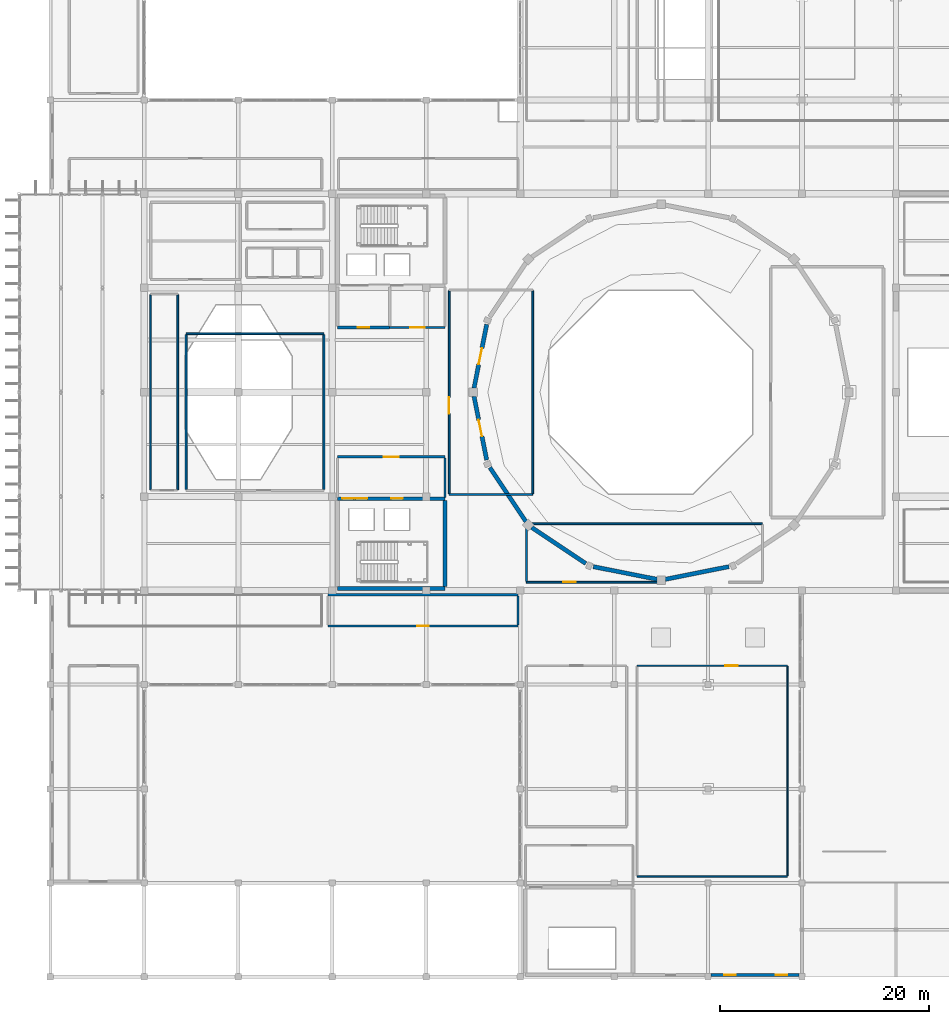
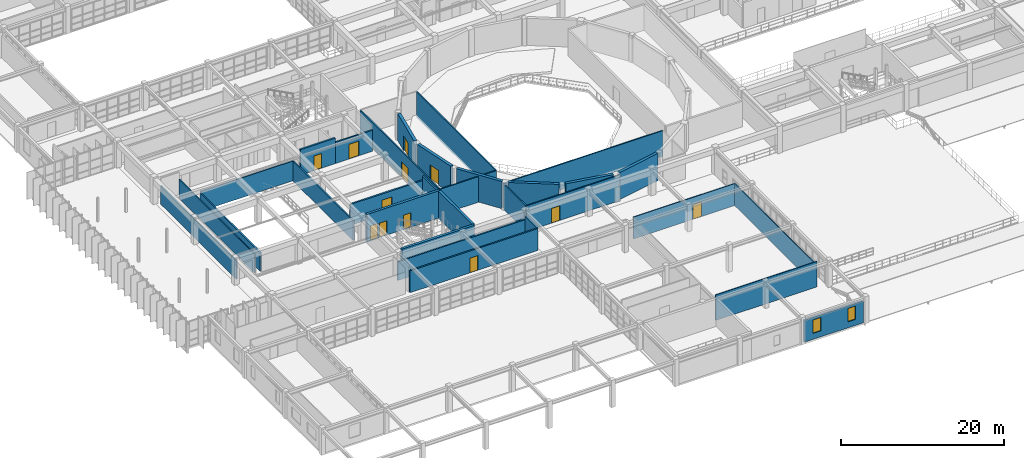
# One storey, part 94 of 110: 31 walls, 12 doors, 2 windows, 14 openings.
"""IFC4 building model written with IfcOpenShell, lengths in metres."""

from ifc_helpers import new_model, si_unit, direction, frame, frame_2d, origin, place, context, subcontext, project, spatial, rectangle, extrude, material, layer, layer_set, type_object, element, fill, save


model = new_model("IFC4")

# Units and contexts
model_context = context("Model", 3, precision=1e-05, world=origin(), true_north=direction((0.0, 1.0)))
body_context = subcontext(model_context, "Body", "Model", "MODEL_VIEW")
ifc_project = project(units=[si_unit("LENGTHUNIT", "METRE"), si_unit("AREAUNIT", "SQUARE_METRE"), si_unit("VOLUMEUNIT", "CUBIC_METRE"), si_unit("PLANEANGLEUNIT", "RADIAN"), si_unit("MASSUNIT", "GRAM", prefix="KILO")], contexts=[model_context])

# Site, building, storey
site_placement = place(None, origin())
site = spatial("IfcSite", under=ifc_project, at=site_placement, CompositionType="ELEMENT")
building_placement = place(site_placement, origin())
building = spatial("IfcBuilding", under=site, at=building_placement, Name="Miravela Opera House", CompositionType="ELEMENT")
storey_placement = place(building_placement, frame((0.0, 0.0, 13.60009765625)))
storey = spatial("IfcBuildingStorey", under=building, at=storey_placement, Name="L03", CompositionType="ELEMENT", Elevation=13.60009765625)

# Wall, openings, windows
ifc_material_1 = material(Name="Insulated cream lime-stuccoed masonry", Category="masonry")
ifc_layer_1 = layer(ifc_material_1, 0.2900390625)
ifc_layer_set_1 = layer_set([ifc_layer_1])
wall_type_1 = type_object("IfcWallType", Name="ARC-EW-STUCCO-290", PredefinedType="STANDARD", material=ifc_layer_set_1)
wall_1_placement = place(storey_placement, frame((81.300048828125, 0.179931640625, 0.0), z_axis=(0.0, 0.0, 1.0), x_axis=(1.0, 0.0, 0.0)))
wall_1 = element("IfcWall", 1, at=wall_1_placement, inside=storey, type_object=wall_type_1, Name="Spanish Colonial Stucco Facade Wall L03-032", PredefinedType="STANDARD", context=body_context, shape_type="SweptSolid", body=[
    extrude(rectangle(XDim=8.39990234375, YDim=0.2900390625, at=frame_2d((4.199951171875, 0.0))), origin(), (0.0, 0.0, 1.0), 3.27685546875),
])
opening_1_placement = place(wall_1_placement, frame((1.25, 0.0, 0.89990234375)))
opening_1 = element("IfcOpeningElement", 2, at=opening_1_placement, cuts=wall_1, Name="Opening W-22", PredefinedType="OPENING", context=body_context, shape_type="SweptSolid", body=[
    extrude(rectangle(XDim=1.10009765625, YDim=2.0, at=frame_2d((0.550048828125, 1.0))), frame((0.0, 0.155029296875, 0.0), z_axis=(0.0, -1.0, 0.0), x_axis=(1.0, 0.0, 0.0)), (0.0, 0.0, 1.0), 0.31005859375),
])
opening_2_placement = place(wall_1_placement, frame((6.199951171875, 0.0, 0.89990234375)))
opening_2 = element("IfcOpeningElement", 3, at=opening_2_placement, cuts=wall_1, Name="Opening W-22", PredefinedType="OPENING", context=body_context, shape_type="SweptSolid", body=[
    extrude(rectangle(XDim=1.10009765625, YDim=2.0, at=frame_2d((0.550048828125, 1.0))), frame((0.0, 0.155029296875, 0.0), z_axis=(0.0, -1.0, 0.0), x_axis=(1.0, 0.0, 0.0)), (0.0, 0.0, 1.0), 0.31005859375),
])
ifc_material_2 = material(Name="Bronze-anodised aluminium and acoustic low-E glass", Category="aluminium")
window_type = type_object("IfcWindowType", Name="ARC-WIN-22", PartitioningType="SINGLE_PANEL", PredefinedType="WINDOW", material=ifc_material_2)
window_1_placement = place(opening_1_placement, origin())
window_1 = element("IfcWindow", 4, at=window_1_placement, inside=storey, type_object=window_type, Name="Window W-22 #085", OverallHeight=2.0, OverallWidth=1.10009765625, PartitioningType="SINGLE_PANEL", PredefinedType="WINDOW", context=body_context, shape_type="SweptSolid", body=[
    extrude(rectangle(XDim=1.10009765625, YDim=2.0, at=frame_2d((0.550048828125, 1.0))), frame((0.0, 0.030029296875, 0.0), z_axis=(0.0, -1.0, 0.0), x_axis=(1.0, 0.0, 0.0)), (0.0, 0.0, 1.0), 0.06005859375),
])
fill(opening_1, window_1)
window_2_placement = place(opening_2_placement, origin())
window_2 = element("IfcWindow", 5, at=window_2_placement, inside=storey, type_object=window_type, Name="Window W-22 #086", OverallHeight=2.0, OverallWidth=1.10009765625, PartitioningType="SINGLE_PANEL", PredefinedType="WINDOW", context=body_context, shape_type="SweptSolid", body=[
    extrude(rectangle(XDim=1.10009765625, YDim=2.0, at=frame_2d((0.550048828125, 1.0))), frame((0.0, 0.030029296875, 0.0), z_axis=(0.0, -1.0, 0.0), x_axis=(1.0, 0.0, 0.0)), (0.0, 0.0, 1.0), 0.06005859375),
])
fill(opening_2, window_2)

# Wall
ifc_material_3 = material(Name="Fire-rated acoustic gypsum partition")
ifc_layer_2 = layer(ifc_material_3, 0.1298828125)
ifc_layer_set_2 = layer_set([ifc_layer_2])
wall_type_2 = type_object("IfcWallType", Name="ARC-PT-130", PredefinedType="PARTITIONING", material=ifc_layer_set_2)
wall_2_placement = place(storey_placement, frame((74.199951171875, 9.60009765625, 0.0), z_axis=(0.0, 0.0, 1.0), x_axis=(1.0, 0.0, 0.0)))
element("IfcWall", 6, at=wall_2_placement, inside=storey, type_object=wall_type_2, Name="Artistic Directorate and Production Offices Partition South", PredefinedType="PARTITIONING", context=body_context, shape_type="SweptSolid", body=[
    extrude(rectangle(XDim=14.400146484375, YDim=0.1298828125, at=frame_2d((7.2001953125, 0.0))), origin(), (0.0, 0.0, 1.0), 3.83984375),
])

# Wall, opening, door
wall_3_placement = place(storey_placement, frame((74.199951171875, 29.800048828125, 0.0), z_axis=(0.0, 0.0, 1.0), x_axis=(1.0, 0.0, 0.0)))
wall_3 = element("IfcWall", 7, at=wall_3_placement, inside=storey, type_object=wall_type_2, Name="Artistic Directorate and Production Offices Partition North", PredefinedType="PARTITIONING", context=body_context, shape_type="SweptSolid", body=[
    extrude(rectangle(XDim=14.400146484375, YDim=0.1298828125, at=frame_2d((7.2001953125, 0.0))), origin(), (0.0, 0.0, 1.0), 3.27685546875),
])
opening_3_placement = place(wall_3_placement, frame((8.4541015625, 0.0, 0.0)))
opening_3 = element("IfcOpeningElement", 8, at=opening_3_placement, cuts=wall_3, Name="Opening ID-04", PredefinedType="OPENING", context=body_context, shape_type="SweptSolid", body=[
    extrude(rectangle(XDim=1.199951171875, YDim=2.199951171875, at=frame_2d((0.60009765625, 1.10009765625))), frame((0.0, 0.074951171875, 0.0), z_axis=(0.0, -1.0, 0.0), x_axis=(1.0, 0.0, 0.0)), (0.0, 0.0, 1.0), 0.14990234375),
])
ifc_material_4 = material(Name="Wide acoustic ensemble door")
door_type_1 = type_object("IfcDoorType", Name="ARC-DR-1200X2200", OperationType="NOTDEFINED", PredefinedType="DOOR", material=ifc_material_4)
door_1_placement = place(opening_3_placement, origin())
door_1 = element("IfcDoor", 9, at=door_1_placement, inside=storey, type_object=door_type_1, Name="Artistic Directorate and Production Offices Entry Door IDR-L03-0278", OperationType="SINGLE_SWING_RIGHT", OverallHeight=2.199951171875, OverallWidth=1.199951171875, PredefinedType="DOOR", context=body_context, shape_type="SweptSolid", body=[
    extrude(rectangle(XDim=1.199951171875, YDim=2.199951171875, at=frame_2d((0.60009765625, 1.10009765625))), frame((0.0, 0.02490234375, 0.0), z_axis=(0.0, -1.0, 0.0), x_axis=(1.0, 0.0, 0.0)), (0.0, 0.0, 1.0), 0.050048828125),
])
fill(opening_3, door_1)

# Walls
wall_4_placement = place(storey_placement, frame((88.60009765625, 9.6650390625, 0.0), z_axis=(0.0, 0.0, 1.0), x_axis=(0.0, 1.0, 0.0)))
element("IfcWall", 10, at=wall_4_placement, inside=storey, type_object=wall_type_2, Name="Artistic Directorate and Production Offices Partition East", PredefinedType="PARTITIONING", context=body_context, shape_type="SweptSolid", body=[
    extrude(rectangle(XDim=20.070068359375, YDim=0.1298828125, at=frame_2d((10.03515625, 0.0))), origin(), (0.0, 0.0, 1.0), 3.27685546875),
])
ifc_material_5 = material(Name="Studio double-stud acoustic partition")
ifc_layer_3 = layer(ifc_material_5, 0.14990234375)
ifc_layer_set_3 = layer_set([ifc_layer_3])
wall_type_3 = type_object("IfcWallType", Name="ARC-PT-145", PredefinedType="PARTITIONING", material=ifc_layer_set_3)
for number, where, z_axis, x_axis, name in (
    (11, (27.60009765625, 46.675048828125, 0.0), (0.0, 0.0, 1.0), (0.0, 1.0, 0.0), "Opera Chorus Vocal Practice Hall Partition West"),
    (12, (30.199951171875, 46.675048828125, 0.0), (0.0, 0.0, 1.0), (0.0, 1.0, 0.0), "Opera Chorus Vocal Practice Hall Partition East"),
):
    element("IfcWall", number, at=place(storey_placement, frame(where, z_axis=z_axis, x_axis=x_axis)), inside=storey, type_object=wall_type_3, Name=name, PredefinedType="PARTITIONING", context=body_context, shape_type="SweptSolid", body=[
        extrude(rectangle(XDim=18.64990234375, YDim=0.14990234375, at=frame_2d((9.324951171875, 0.0))), origin(), (0.0, 0.0, 1.0), 2.81982421875),
    ])
ifc_material_6 = material(Name="Rehearsal isolated acoustic partition")
ifc_layer_4 = layer(ifc_material_6, 0.169921875)
ifc_layer_set_4 = layer_set([ifc_layer_4])
wall_type_4 = type_object("IfcWallType", Name="ARC-PT-170", PredefinedType="PARTITIONING", material=ifc_layer_set_4)
wall_5_placement = place(storey_placement, frame((56.199951171875, 46.199951171875, 0.0), z_axis=(0.0, 0.0, 1.0), x_axis=(1.0, 0.0, 0.0)))
element("IfcWall", 13, at=wall_5_placement, inside=storey, type_object=wall_type_4, Name="Opera Auditorium West Upper Circle Salon Partition South", PredefinedType="PARTITIONING", context=body_context, shape_type="SweptSolid", body=[
    extrude(rectangle(XDim=8.0, YDim=0.169921875, at=frame_2d((4.0, 0.0))), origin(), (0.0, 0.0, 1.0), 3.83984375),
])

# Wall, opening, door
wall_6_placement = place(storey_placement, frame((56.199951171875, 46.284912109375, 0.0), z_axis=(0.0, 0.0, 1.0), x_axis=(0.0, 1.0, 0.0)))
wall_6 = element("IfcWall", 14, at=wall_6_placement, inside=storey, type_object=wall_type_4, Name="Opera Auditorium West Upper Circle Salon Partition West", PredefinedType="PARTITIONING", context=body_context, shape_type="SweptSolid", body=[
    extrude(rectangle(XDim=19.43017578125, YDim=0.169921875, at=frame_2d((9.715087890625, 0.0))), origin(), (0.0, 0.0, 1.0), 3.83984375),
])
opening_4_placement = place(wall_6_placement, frame((7.640869140625, 0.0, 0.0)))
opening_4 = element("IfcOpeningElement", 15, at=opening_4_placement, cuts=wall_6, Name="Opening FD-04", PredefinedType="OPENING", context=body_context, shape_type="SweptSolid", body=[
    extrude(rectangle(XDim=1.60009765625, YDim=2.25, at=frame_2d((0.800048828125, 1.125))), frame((0.0, 0.094970703125, 0.0), z_axis=(0.0, -1.0, 0.0), x_axis=(1.0, 0.0, 0.0)), (0.0, 0.0, 1.0), 0.18994140625),
])
ifc_material_7 = material(Name="Fire-rated rehearsal/vomitory double door")
door_type_2 = type_object("IfcDoorType", Name="ARC-FD-1600X2250", OperationType="NOTDEFINED", PredefinedType="DOOR", material=ifc_material_7)
door_2_placement = place(opening_4_placement, frame((1.60009765625, 0.0, 0.0), z_axis=(0.0, 0.0, 1.0), x_axis=(-1.0, 0.0, 0.0)))
door_2 = element("IfcDoor", 16, at=door_2_placement, inside=storey, type_object=door_type_2, Name="Opera Auditorium West Upper Circle Salon Entry Door IDR-L03-0280", OperationType="DOUBLE_DOOR_SINGLE_SWING", OverallHeight=2.25, OverallWidth=1.60009765625, PredefinedType="DOOR", context=body_context, shape_type="SweptSolid", body=[
    extrude(rectangle(XDim=1.60009765625, YDim=2.25, at=frame_2d((0.800048828125, 1.125))), frame((0.0, 0.02490234375, 0.0), z_axis=(0.0, -1.0, 0.0), x_axis=(1.0, 0.0, 0.0)), (0.0, 0.0, 1.0), 0.050048828125),
])
fill(opening_4, door_2)

# Wall
wall_7_placement = place(storey_placement, frame((64.199951171875, 46.284912109375, 0.0), z_axis=(0.0, 0.0, 1.0), x_axis=(0.0, 1.0, 0.0)))
element("IfcWall", 17, at=wall_7_placement, inside=storey, type_object=wall_type_4, Name="Opera Auditorium West Upper Circle Salon Partition East", PredefinedType="PARTITIONING", context=body_context, shape_type="SweptSolid", body=[
    extrude(rectangle(XDim=19.43017578125, YDim=0.169921875, at=frame_2d((9.715087890625, 0.0))), origin(), (0.0, 0.0, 1.0), 3.83984375),
])

# Wall, opening, door
wall_8_placement = place(storey_placement, frame((63.60009765625, 37.800048828125, 0.0), z_axis=(0.0, 0.0, 1.0), x_axis=(1.0, 0.0, 0.0)))
wall_8 = element("IfcWall", 18, at=wall_8_placement, inside=storey, type_object=wall_type_4, Name="Principal Dancer Dressing Suite Partition South 1", PredefinedType="PARTITIONING", context=body_context, shape_type="SweptSolid", body=[
    extrude(rectangle(XDim=13.292236328125, YDim=0.169921875, at=frame_2d((6.64599609375, 0.0))), origin(), (0.0, 0.0, 1.0), 3.83984375),
])
opening_5_placement = place(wall_8_placement, frame((3.514404296875, 0.0, 0.0)))
opening_5 = element("IfcOpeningElement", 19, at=opening_5_placement, cuts=wall_8, Name="Opening ID-04", PredefinedType="OPENING", context=body_context, shape_type="SweptSolid", body=[
    extrude(rectangle(XDim=1.199951171875, YDim=2.199951171875, at=frame_2d((0.60009765625, 1.10009765625))), frame((0.0, 0.094970703125, 0.0), z_axis=(0.0, -1.0, 0.0), x_axis=(1.0, 0.0, 0.0)), (0.0, 0.0, 1.0), 0.18994140625),
])
door_3_placement = place(opening_5_placement, frame((1.199951171875, 0.0, 0.0), z_axis=(0.0, 0.0, 1.0), x_axis=(-1.0, 0.0, 0.0)))
door_3 = element("IfcDoor", 20, at=door_3_placement, inside=storey, type_object=door_type_1, Name="Principal Dancer Dressing Suite Entry Door IDR-L03-0290", OperationType="SINGLE_SWING_LEFT", OverallHeight=2.199951171875, OverallWidth=1.199951171875, PredefinedType="DOOR", context=body_context, shape_type="SweptSolid", body=[
    extrude(rectangle(XDim=1.199951171875, YDim=2.199951171875, at=frame_2d((0.60009765625, 1.10009765625))), frame((0.0, 0.02490234375, 0.0), z_axis=(0.0, -1.0, 0.0), x_axis=(1.0, 0.0, 0.0)), (0.0, 0.0, 1.0), 0.050048828125),
])
fill(opening_5, door_3)

# Walls
wall_9_placement = place(storey_placement, frame((63.60009765625, 43.39990234375, 0.0), z_axis=(0.0, 0.0, 1.0), x_axis=(1.0, 0.0, 0.0)))
element("IfcWall", 21, at=wall_9_placement, inside=storey, type_object=wall_type_4, Name="Principal Dancer Dressing Suite Partition North", PredefinedType="PARTITIONING", context=body_context, shape_type="SweptSolid", body=[
    extrude(rectangle(XDim=22.599853515625, YDim=0.169921875, at=frame_2d((11.2998046875, 0.0))), origin(), (0.0, 0.0, 1.0), 3.83984375),
])
wall_10_placement = place(storey_placement, frame((63.60009765625, 37.885009765625, 0.0), z_axis=(0.0, 0.0, 1.0), x_axis=(0.0, 1.0, 0.0)))
element("IfcWall", 22, at=wall_10_placement, inside=storey, type_object=wall_type_4, Name="Principal Dancer Dressing Suite Partition West", PredefinedType="PARTITIONING", context=body_context, shape_type="SweptSolid", body=[
    extrude(rectangle(XDim=5.429931640625, YDim=0.169921875, at=frame_2d((2.71484375, 0.0))), origin(), (0.0, 0.0, 1.0), 3.83984375),
])
ifc_material_8 = material(Name="Corridor fire-resisting masonry partition", Category="masonry")
ifc_layer_5 = layer(ifc_material_8, 0.18994140625)
ifc_layer_set_5 = layer_set([ifc_layer_5])
wall_type_5 = type_object("IfcWallType", Name="ARC-PT-190", PredefinedType="PARTITIONING", material=ifc_layer_set_5)
wall_11_placement = place(storey_placement, frame((31.0, 61.60009765625, 0.0), z_axis=(0.0, 0.0, 1.0), x_axis=(1.0, 0.0, 0.0)))
element("IfcWall", 23, at=wall_11_placement, inside=storey, type_object=wall_type_5, Name="Musicological Research Archive Partition North", PredefinedType="PARTITIONING", context=body_context, shape_type="SweptSolid", body=[
    extrude(rectangle(XDim=13.199951171875, YDim=0.18994140625, at=frame_2d((6.60009765625, 0.0))), origin(), (0.0, 0.0, 1.0), 2.969970703125),
])
wall_12_placement = place(storey_placement, frame((31.0, 46.695068359375, 0.0), z_axis=(0.0, 0.0, 1.0), x_axis=(0.0, 1.0, 0.0)))
element("IfcWall", 24, at=wall_12_placement, inside=storey, type_object=wall_type_5, Name="Musicological Research Archive Partition West", PredefinedType="PARTITIONING", context=body_context, shape_type="SweptSolid", body=[
    extrude(rectangle(XDim=14.809814453125, YDim=0.18994140625, at=frame_2d((7.40478515625, 0.0))), origin(), (0.0, 0.0, 1.0), 2.81982421875),
])
wall_13_placement = place(storey_placement, frame((44.199951171875, 46.695068359375, 0.0), z_axis=(0.0, 0.0, 1.0), x_axis=(0.0, 1.0, 0.0)))
element("IfcWall", 25, at=wall_13_placement, inside=storey, type_object=wall_type_5, Name="Musicological Research Archive Partition East", PredefinedType="PARTITIONING", context=body_context, shape_type="SweptSolid", body=[
    extrude(rectangle(XDim=14.809814453125, YDim=0.18994140625, at=frame_2d((7.40478515625, 0.0))), origin(), (0.0, 0.0, 1.0), 2.969970703125),
])

# Wall, opening, door
ifc_material_9 = material(Name="High-STC auditorium lobby partition")
ifc_layer_6 = layer(ifc_material_9, 0.22998046875)
ifc_layer_set_6 = layer_set([ifc_layer_6])
wall_type_6 = type_object("IfcWallType", Name="ARC-PT-205", PredefinedType="PARTITIONING", material=ifc_layer_set_6)
wall_14_placement = place(storey_placement, frame((45.5, 49.800048828125, 0.0), z_axis=(0.0, 0.0, 1.0), x_axis=(1.0, 0.0, 0.0)))
wall_14 = element("IfcWall", 26, at=wall_14_placement, inside=storey, type_object=wall_type_6, Name="Passenger Lift Lobby K2 L03 Partition North", PredefinedType="PARTITIONING", context=body_context, shape_type="SweptSolid", body=[
    extrude(rectangle(XDim=10.300048828125, YDim=0.22998046875, at=frame_2d((5.14990234375, 0.0))), origin(), (0.0, 0.0, 1.0), 3.139892578125),
])
opening_6_placement = place(wall_14_placement, frame((4.449951171875, 0.0, 0.0)))
opening_6 = element("IfcOpeningElement", 27, at=opening_6_placement, cuts=wall_14, Name="Opening FD-03", PredefinedType="OPENING", context=body_context, shape_type="SweptSolid", body=[
    extrude(rectangle(XDim=1.39990234375, YDim=2.199951171875, at=frame_2d((0.699951171875, 1.10009765625))), frame((0.0, 0.125, 0.0), z_axis=(0.0, -1.0, 0.0), x_axis=(1.0, 0.0, 0.0)), (0.0, 0.0, 1.0), 0.25),
])
ifc_material_10 = material(Name="Fire-rated lobby/archive double door")
door_type_3 = type_object("IfcDoorType", Name="ARC-FD-1400X2200", OperationType="NOTDEFINED", PredefinedType="DOOR", material=ifc_material_10)
door_4_placement = place(opening_6_placement, origin())
door_4 = element("IfcDoor", 28, at=door_4_placement, inside=storey, type_object=door_type_3, Name="Passenger Lift Lobby K2 L03 Entry Door IDR-L03-0262", OperationType="DOUBLE_DOOR_SINGLE_SWING", OverallHeight=2.199951171875, OverallWidth=1.39990234375, PredefinedType="DOOR", context=body_context, shape_type="SweptSolid", body=[
    extrude(rectangle(XDim=1.39990234375, YDim=2.199951171875, at=frame_2d((0.699951171875, 1.10009765625))), frame((0.0, 0.02490234375, 0.0), z_axis=(0.0, -1.0, 0.0), x_axis=(1.0, 0.0, 0.0)), (0.0, 0.0, 1.0), 0.050048828125),
])
fill(opening_6, door_4)

# Wall
wall_15_placement = place(storey_placement, frame((55.800048828125, 45.9150390625, 0.0), z_axis=(0.0, 0.0, 1.0), x_axis=(0.0, 1.0, 0.0)))
element("IfcWall", 29, at=wall_15_placement, inside=storey, type_object=wall_type_6, Name="Passenger Lift Lobby K2 L03 Partition East", PredefinedType="PARTITIONING", context=body_context, shape_type="SweptSolid", body=[
    extrude(rectangle(XDim=3.77001953125, YDim=0.22998046875, at=frame_2d((1.885009765625, 0.0))), origin(), (0.0, 0.0, 1.0), 3.83984375),
])

# Wall, opening, door
ifc_material_11 = material(Name="Workshop fire-resisting block partition")
ifc_layer_7 = layer(ifc_material_11, 0.2099609375)
ifc_layer_set_7 = layer_set([ifc_layer_7])
wall_type_7 = type_object("IfcWallType", Name="ARC-PT-210", PredefinedType="PARTITIONING", material=ifc_layer_set_7)
wall_16_placement = place(storey_placement, frame((50.5, 62.199951171875, 0.0), z_axis=(0.0, 0.0, 1.0), x_axis=(1.0, 0.0, 0.0)))
wall_16 = element("IfcWall", 30, at=wall_16_placement, inside=storey, type_object=wall_type_7, Name="Passenger Lift Lobby K1 L03 Partition South", PredefinedType="PARTITIONING", context=body_context, shape_type="SweptSolid", body=[
    extrude(rectangle(XDim=5.300048828125, YDim=0.2099609375, at=frame_2d((2.64990234375, 0.0))), origin(), (0.0, 0.0, 1.0), 3.169921875),
])
opening_7_placement = place(wall_16_placement, frame((1.949951171875, 0.0, 0.0)))
opening_7 = element("IfcOpeningElement", 31, at=opening_7_placement, cuts=wall_16, Name="Opening FD-03", PredefinedType="OPENING", context=body_context, shape_type="SweptSolid", body=[
    extrude(rectangle(XDim=1.39990234375, YDim=2.199951171875, at=frame_2d((0.699951171875, 1.10009765625))), frame((0.0, 0.114990234375, 0.0), z_axis=(0.0, -1.0, 0.0), x_axis=(1.0, 0.0, 0.0)), (0.0, 0.0, 1.0), 0.22998046875),
])
door_5_placement = place(opening_7_placement, frame((1.39990234375, 0.0, 0.0), z_axis=(0.0, 0.0, 1.0), x_axis=(-1.0, 0.0, 0.0)))
door_5 = element("IfcDoor", 32, at=door_5_placement, inside=storey, type_object=door_type_3, Name="Passenger Lift Lobby K1 L03 Entry Door IDR-L03-0261", OperationType="DOUBLE_DOOR_SINGLE_SWING", OverallHeight=2.199951171875, OverallWidth=1.39990234375, PredefinedType="DOOR", context=body_context, shape_type="SweptSolid", body=[
    extrude(rectangle(XDim=1.39990234375, YDim=2.199951171875, at=frame_2d((0.699951171875, 1.10009765625))), frame((0.0, 0.02490234375, 0.0), z_axis=(0.0, -1.0, 0.0), x_axis=(1.0, 0.0, 0.0)), (0.0, 0.0, 1.0), 0.050048828125),
])
fill(opening_7, door_5)

wall_17_placement = place(storey_placement, frame((44.60009765625, 33.60009765625, 0.0), z_axis=(0.0, 0.0, 1.0), x_axis=(1.0, 0.0, 0.0)))
wall_17 = element("IfcWall", 33, at=wall_17_placement, inside=storey, type_object=wall_type_7, Name="Costume Conservation Studio Partition South", PredefinedType="PARTITIONING", context=body_context, shape_type="SweptSolid", body=[
    extrude(rectangle(XDim=18.199951171875, YDim=0.2099609375, at=frame_2d((9.10009765625, 0.0))), origin(), (0.0, 0.0, 1.0), 3.27685546875),
])
opening_8_placement = place(wall_17_placement, frame((8.550048828125, 0.0, 0.0)))
opening_8 = element("IfcOpeningElement", 34, at=opening_8_placement, cuts=wall_17, Name="Opening ID-03", PredefinedType="OPENING", context=body_context, shape_type="SweptSolid", body=[
    extrude(rectangle(XDim=1.10009765625, YDim=2.199951171875, at=frame_2d((0.550048828125, 1.10009765625))), frame((0.0, 0.114990234375, 0.0), z_axis=(0.0, -1.0, 0.0), x_axis=(1.0, 0.0, 0.0)), (0.0, 0.0, 1.0), 0.22998046875),
])
ifc_material_12 = material(Name="Acoustic hardwood studio door", Category="wood")
door_type_4 = type_object("IfcDoorType", Name="ARC-DR-1100X2200", OperationType="NOTDEFINED", PredefinedType="DOOR", material=ifc_material_12)
door_6_placement = place(opening_8_placement, frame((1.10009765625, 0.0, 0.0), z_axis=(0.0, 0.0, 1.0), x_axis=(-1.0, 0.0, 0.0)))
door_6 = element("IfcDoor", 35, at=door_6_placement, inside=storey, type_object=door_type_4, Name="Costume Conservation Studio Entry Door IDR-L03-0292", OperationType="SINGLE_SWING_LEFT", OverallHeight=2.199951171875, OverallWidth=1.10009765625, PredefinedType="DOOR", context=body_context, shape_type="SweptSolid", body=[
    extrude(rectangle(XDim=1.10009765625, YDim=2.199951171875, at=frame_2d((0.550048828125, 1.10009765625))), frame((0.0, 0.02490234375, 0.0), z_axis=(0.0, -1.0, 0.0), x_axis=(1.0, 0.0, 0.0)), (0.0, 0.0, 1.0), 0.050048828125),
])
fill(opening_8, door_6)

# Walls
wall_18_placement = place(storey_placement, frame((44.60009765625, 36.60009765625, 0.0), z_axis=(0.0, 0.0, 1.0), x_axis=(1.0, 0.0, 0.0)))
element("IfcWall", 36, at=wall_18_placement, inside=storey, type_object=wall_type_7, Name="Costume Conservation Studio Partition North", PredefinedType="PARTITIONING", context=body_context, shape_type="SweptSolid", body=[
    extrude(rectangle(XDim=18.199951171875, YDim=0.2099609375, at=frame_2d((9.10009765625, 0.0))), origin(), (0.0, 0.0, 1.0), 2.81982421875),
])
wall_19_placement = place(storey_placement, frame((62.800048828125, 33.705078125, 0.0), z_axis=(0.0, 0.0, 1.0), x_axis=(0.0, 1.0, 0.0)))
element("IfcWall", 37, at=wall_19_placement, inside=storey, type_object=wall_type_7, Name="Costume Conservation Studio Partition East", PredefinedType="PARTITIONING", context=body_context, shape_type="SweptSolid", body=[
    extrude(rectangle(XDim=2.7900390625, YDim=0.2099609375, at=frame_2d((1.39501953125, 0.0))), origin(), (0.0, 0.0, 1.0), 3.27685546875),
])

# Wall, opening, door
ifc_material_13 = material(Name="Firefighting lobby compartment wall")
ifc_layer_8 = layer(ifc_material_13, 0.25)
ifc_layer_set_8 = layer_set([ifc_layer_8])
wall_type_8 = type_object("IfcWallType", Name="ARC-PT-220", PredefinedType="PARTITIONING", material=ifc_layer_set_8)
wall_20_placement = place(storey_placement, frame((45.5, 62.199951171875, 0.0), z_axis=(0.0, 0.0, 1.0), x_axis=(1.0, 0.0, 0.0)))
wall_20 = element("IfcWall", 38, at=wall_20_placement, inside=storey, type_object=wall_type_8, Name="Firefighting Lobby K1 L03 Partition South", PredefinedType="PARTITIONING", context=body_context, shape_type="SweptSolid", body=[
    extrude(rectangle(XDim=5.0, YDim=0.25, at=frame_2d((2.5, 0.0))), origin(), (0.0, 0.0, 1.0), 3.83984375),
])
opening_9_placement = place(wall_20_placement, frame((1.949951171875, 0.0, 0.0)))
opening_9 = element("IfcOpeningElement", 39, at=opening_9_placement, cuts=wall_20, Name="Opening FD-01", PredefinedType="OPENING", context=body_context, shape_type="SweptSolid", body=[
    extrude(rectangle(XDim=1.10009765625, YDim=2.199951171875, at=frame_2d((0.550048828125, 1.10009765625))), frame((0.0, 0.135009765625, 0.0), z_axis=(0.0, -1.0, 0.0), x_axis=(1.0, 0.0, 0.0)), (0.0, 0.0, 1.0), 0.27001953125),
])
ifc_material_14 = material(Name="Fire-rated steel/hardwood exit stair door", Category="steel")
door_type_5 = type_object("IfcDoorType", Name="ARC-FD-1100X2200", OperationType="NOTDEFINED", PredefinedType="DOOR", material=ifc_material_14)
door_7_placement = place(opening_9_placement, frame((1.10009765625, 0.0, 0.0), z_axis=(0.0, 0.0, 1.0), x_axis=(-1.0, 0.0, 0.0)))
door_7 = element("IfcDoor", 40, at=door_7_placement, inside=storey, type_object=door_type_5, Name="Firefighting Lobby K1 L03 Entry Door IDR-L03-0260", OperationType="SINGLE_SWING_RIGHT", OverallHeight=2.199951171875, OverallWidth=1.10009765625, PredefinedType="DOOR", context=body_context, shape_type="SweptSolid", body=[
    extrude(rectangle(XDim=1.10009765625, YDim=2.199951171875, at=frame_2d((0.550048828125, 1.10009765625))), frame((0.0, 0.02490234375, 0.0), z_axis=(0.0, -1.0, 0.0), x_axis=(1.0, 0.0, 0.0)), (0.0, 0.0, 1.0), 0.050048828125),
])
fill(opening_9, door_7)

# Wall
ifc_material_15 = material(Name="Concrete C40/50", Category="concrete")
ifc_layer_9 = layer(ifc_material_15, 0.35009765625)
ifc_layer_set_9 = layer_set([ifc_layer_9])
wall_type_9 = type_object("IfcWallType", Name="STR-WALL-CORE-350", PredefinedType="SHEAR", material=ifc_layer_set_9)
wall_21_placement = place(storey_placement, frame((45.5, 37.199951171875, 0.0), z_axis=(0.0, 0.0, 1.0), x_axis=(1.0, 0.0, 0.0)))
element("IfcWall", 41, at=wall_21_placement, inside=storey, type_object=wall_type_9, Name="Core K2 Shear Wall South (L03)", PredefinedType="SHEAR", context=body_context, shape_type="SweptSolid", body=[
    extrude(rectangle(XDim=10.300048828125, YDim=0.35009765625, at=frame_2d((5.14990234375, 0.0))), origin(), (0.0, 0.0, 1.0), 4.079833984375),
])

# Wall, openings, doors
wall_22_placement = place(storey_placement, frame((45.5, 45.800048828125, 0.0), z_axis=(0.0, 0.0, 1.0), x_axis=(1.0, 0.0, 0.0)))
wall_22 = element("IfcWall", 42, at=wall_22_placement, inside=storey, type_object=wall_type_9, Name="Core K2 Shear Wall North (L03)", PredefinedType="SHEAR", context=body_context, shape_type="SweptSolid", body=[
    extrude(rectangle(XDim=10.300048828125, YDim=0.35009765625, at=frame_2d((5.14990234375, 0.0))), origin(), (0.0, 0.0, 1.0), 4.079833984375),
])
opening_10_placement = place(wall_22_placement, frame((0.449951171875, 0.0, 0.0)))
opening_10 = element("IfcOpeningElement", 43, at=opening_10_placement, cuts=wall_22, Name="Opening FD-01", PredefinedType="OPENING", context=body_context, shape_type="SweptSolid", body=[
    extrude(rectangle(XDim=1.10009765625, YDim=2.199951171875, at=frame_2d((0.550048828125, 1.10009765625))), frame((0.0, 0.18505859375, 0.0), z_axis=(0.0, -1.0, 0.0), x_axis=(1.0, 0.0, 0.0)), (0.0, 0.0, 1.0), 0.3701171875),
])
opening_11_placement = place(wall_22_placement, frame((1.739990234375, 0.0, 0.0)))
opening_11 = element("IfcOpeningElement", 44, at=opening_11_placement, cuts=wall_22, Name="Opening LD-02", PredefinedType="OPENING", context=body_context, shape_type="SweptSolid", body=[
    extrude(rectangle(XDim=1.1201171875, YDim=2.159912109375, at=frame_2d((0.56005859375, 1.080078125))), frame((0.0, 0.18505859375, 0.0), z_axis=(0.0, -1.0, 0.0), x_axis=(1.0, 0.0, 0.0)), (0.0, 0.0, 1.0), 0.3701171875),
])
opening_12_placement = place(wall_22_placement, frame((5.139892578125, 0.0, 0.0)))
opening_12 = element("IfcOpeningElement", 45, at=opening_12_placement, cuts=wall_22, Name="Opening LD-02", PredefinedType="OPENING", context=body_context, shape_type="SweptSolid", body=[
    extrude(rectangle(XDim=1.1201171875, YDim=2.159912109375, at=frame_2d((0.56005859375, 1.080078125))), frame((0.0, 0.18505859375, 0.0), z_axis=(0.0, -1.0, 0.0), x_axis=(1.0, 0.0, 0.0)), (0.0, 0.0, 1.0), 0.3701171875),
])
door_8_placement = place(opening_10_placement, frame((1.10009765625, 0.0, 0.0), z_axis=(0.0, 0.0, 1.0), x_axis=(-1.0, 0.0, 0.0)))
door_8 = element("IfcDoor", 46, at=door_8_placement, inside=storey, type_object=door_type_5, Name="Exit Stair ST-02 Rated Door (L03) IDR-L03-0012", OperationType="SINGLE_SWING_RIGHT", OverallHeight=2.199951171875, OverallWidth=1.10009765625, PredefinedType="DOOR", context=body_context, shape_type="SweptSolid", body=[
    extrude(rectangle(XDim=1.10009765625, YDim=2.199951171875, at=frame_2d((0.550048828125, 1.10009765625))), frame((0.0, 0.02490234375, 0.0), z_axis=(0.0, -1.0, 0.0), x_axis=(1.0, 0.0, 0.0)), (0.0, 0.0, 1.0), 0.050048828125),
])
fill(opening_10, door_8)
ifc_material_16 = material(Name="Brushed stainless and bronze fire-rated lift landing door")
door_type_6 = type_object("IfcDoorType", Name="ARC-LD-PAX-1100X2150", OperationType="SLIDING_TO_LEFT", PredefinedType="DOOR", material=ifc_material_16)
door_9_placement = place(opening_11_placement, origin())
door_9 = element("IfcDoor", 47, at=door_9_placement, inside=storey, type_object=door_type_6, Name="Lift Landing Door PL-02 (L03)", OperationType="SLIDING_TO_LEFT", OverallHeight=2.159912109375, OverallWidth=1.1201171875, PredefinedType="DOOR", context=body_context, shape_type="SweptSolid", body=[
    extrude(rectangle(XDim=1.1201171875, YDim=2.159912109375, at=frame_2d((0.56005859375, 1.080078125))), frame((0.0, 0.02490234375, 0.0), z_axis=(0.0, -1.0, 0.0), x_axis=(1.0, 0.0, 0.0)), (0.0, 0.0, 1.0), 0.050048828125),
])
fill(opening_11, door_9)
door_10_placement = place(opening_12_placement, origin())
door_10 = element("IfcDoor", 48, at=door_10_placement, inside=storey, type_object=door_type_6, Name="Lift Landing Door PL-03 (L03)", OperationType="SLIDING_TO_LEFT", OverallHeight=2.159912109375, OverallWidth=1.1201171875, PredefinedType="DOOR", context=body_context, shape_type="SweptSolid", body=[
    extrude(rectangle(XDim=1.1201171875, YDim=2.159912109375, at=frame_2d((0.56005859375, 1.080078125))), frame((0.0, 0.02490234375, 0.0), z_axis=(0.0, -1.0, 0.0), x_axis=(1.0, 0.0, 0.0)), (0.0, 0.0, 1.0), 0.050048828125),
])
fill(opening_12, door_10)

# Wall
wall_23_placement = place(storey_placement, frame((55.800048828125, 37.375, 0.0), z_axis=(0.0, 0.0, 1.0), x_axis=(0.0, 1.0, 0.0)))
element("IfcWall", 49, at=wall_23_placement, inside=storey, type_object=wall_type_9, Name="Core K2 Shear Wall East (L03)", PredefinedType="SHEAR", context=body_context, shape_type="SweptSolid", body=[
    extrude(rectangle(XDim=8.25, YDim=0.35009765625, at=frame_2d((4.125, 0.0))), origin(), (0.0, 0.0, 1.0), 4.079833984375),
])

# Wall, opening, door
ifc_layer_10 = layer(ifc_material_15, 0.39990234375)
ifc_layer_set_10 = layer_set([ifc_layer_10])
wall_type_10 = type_object("IfcWallType", Name="STR-WALL-DRUM-400", PredefinedType="SHEAR", material=ifc_layer_set_10)
wall_24_placement = place(storey_placement, frame((59.792236328125, 62.49609375, 0.0), z_axis=(0.0, 0.0, 1.0), x_axis=(-0.195127752786, -0.980777834218, 0.0)))
wall_24 = element("IfcWall", 50, at=wall_24_placement, inside=storey, type_object=wall_type_10, Name="Auditorium Drum Shear Wall L03 Seg 8", PredefinedType="SHEAR", context=body_context, shape_type="SweptSolid", body=[
    extrude(rectangle(XDim=6.223388671875, YDim=0.39990234375, at=frame_2d((3.11181640625, 0.0))), origin(), (0.0, 0.0, 1.0), 4.079833984375),
])
opening_13_placement = place(wall_24_placement, frame((2.3115234375, 0.0, 0.0)))
opening_13 = element("IfcOpeningElement", 51, at=opening_13_placement, cuts=wall_24, Name="Opening FD-04", PredefinedType="OPENING", context=body_context, shape_type="SweptSolid", body=[
    extrude(rectangle(XDim=1.60009765625, YDim=2.25, at=frame_2d((0.800048828125, 1.125))), frame((0.0, 0.2099609375, 0.0), z_axis=(0.0, -1.0, 0.0), x_axis=(1.0, 0.0, 0.0)), (0.0, 0.0, 1.0), 0.419921875),
])
door_11_placement = place(opening_13_placement, frame((1.60009765625, 0.0, 0.0), z_axis=(0.0, 0.0, 1.0), x_axis=(-1.0, 0.0, 0.0)))
door_11 = element("IfcDoor", 52, at=door_11_placement, inside=storey, type_object=door_type_2, Name="Auditorium Drum Acoustic Vestibule Door L03-S8 IDR-L03-0364", OperationType="DOUBLE_DOOR_SINGLE_SWING", OverallHeight=2.25, OverallWidth=1.60009765625, PredefinedType="DOOR", context=body_context, shape_type="SweptSolid", body=[
    extrude(rectangle(XDim=1.60009765625, YDim=2.25, at=frame_2d((0.800048828125, 1.125))), frame((0.0, 0.02490234375, 0.0), z_axis=(0.0, -1.0, 0.0), x_axis=(1.0, 0.0, 0.0)), (0.0, 0.0, 1.0), 0.050048828125),
])
fill(opening_13, door_11)

wall_25_placement = place(storey_placement, frame((58.577880859375, 55.607666015625, 0.0), z_axis=(0.0, 0.0, 1.0), x_axis=(0.195127752786, -0.980777834218, 0.0)))
wall_25 = element("IfcWall", 53, at=wall_25_placement, inside=storey, type_object=wall_type_10, Name="Auditorium Drum Shear Wall L03 Seg 9", PredefinedType="SHEAR", context=body_context, shape_type="SweptSolid", body=[
    extrude(rectangle(XDim=6.223388671875, YDim=0.39990234375, at=frame_2d((3.11181640625, 0.0))), origin(), (0.0, 0.0, 1.0), 4.079833984375),
])
opening_14_placement = place(wall_25_placement, frame((2.3115234375, 0.0, 0.0)))
opening_14 = element("IfcOpeningElement", 54, at=opening_14_placement, cuts=wall_25, Name="Opening FD-04", PredefinedType="OPENING", context=body_context, shape_type="SweptSolid", body=[
    extrude(rectangle(XDim=1.60009765625, YDim=2.25, at=frame_2d((0.800048828125, 1.125))), frame((0.0, 0.2099609375, 0.0), z_axis=(0.0, -1.0, 0.0), x_axis=(1.0, 0.0, 0.0)), (0.0, 0.0, 1.0), 0.419921875),
])
door_12_placement = place(opening_14_placement, frame((1.60009765625, 0.0, 0.0), z_axis=(0.0, 0.0, 1.0), x_axis=(-1.0, 0.0, 0.0)))
door_12 = element("IfcDoor", 55, at=door_12_placement, inside=storey, type_object=door_type_2, Name="Auditorium Drum Acoustic Vestibule Door L03-S9 IDR-L03-0365", OperationType="DOUBLE_DOOR_SINGLE_SWING", OverallHeight=2.25, OverallWidth=1.60009765625, PredefinedType="DOOR", context=body_context, shape_type="SweptSolid", body=[
    extrude(rectangle(XDim=1.60009765625, YDim=2.25, at=frame_2d((0.800048828125, 1.125))), frame((0.0, 0.02490234375, 0.0), z_axis=(0.0, -1.0, 0.0), x_axis=(1.0, 0.0, 0.0)), (0.0, 0.0, 1.0), 0.050048828125),
])
fill(opening_14, door_12)

# Walls
for number, where, z_axis, x_axis, name in (
    (56, (60.09228515625, 48.779052734375, 0.0), (0.0, 0.0, 1.0), (0.555587101324, -0.831458341015, 0.0), "Auditorium Drum Shear Wall L03 Seg 10"),
    (57, (64.104736328125, 43.0498046875, 0.0), (0.0, 0.0, 1.0), (0.831458341015, -0.555587101324, 0.0), "Auditorium Drum Shear Wall L03 Seg 11"),
):
    element("IfcWall", number, at=place(storey_placement, frame(where, z_axis=z_axis, x_axis=x_axis)), inside=storey, type_object=wall_type_10, Name=name, PredefinedType="SHEAR", context=body_context, shape_type="SweptSolid", body=[
        extrude(rectangle(XDim=6.22314453125, YDim=0.39990234375, at=frame_2d((3.111572265625, 0.0))), origin(), (0.0, 0.0, 1.0), 4.079833984375),
    ])
for number, where, z_axis, x_axis, name in (
    (58, (70.00390625, 39.292236328125, 0.0), (0.0, 0.0, 1.0), (0.980777834218, -0.195127752786, 0.0), "Auditorium Drum Shear Wall L03 Seg 12"),
    (59, (76.892333984375, 38.077880859375, 0.0), (0.0, 0.0, 1.0), (0.980777834218, 0.195127752786, 0.0), "Auditorium Drum Shear Wall L03 Seg 13"),
):
    element("IfcWall", number, at=place(storey_placement, frame(where, z_axis=z_axis, x_axis=x_axis)), inside=storey, type_object=wall_type_10, Name=name, PredefinedType="SHEAR", context=body_context, shape_type="SweptSolid", body=[
        extrude(rectangle(XDim=6.223388671875, YDim=0.39990234375, at=frame_2d((3.11181640625, 0.0))), origin(), (0.0, 0.0, 1.0), 4.079833984375),
    ])

save(model, "model.ifc")
